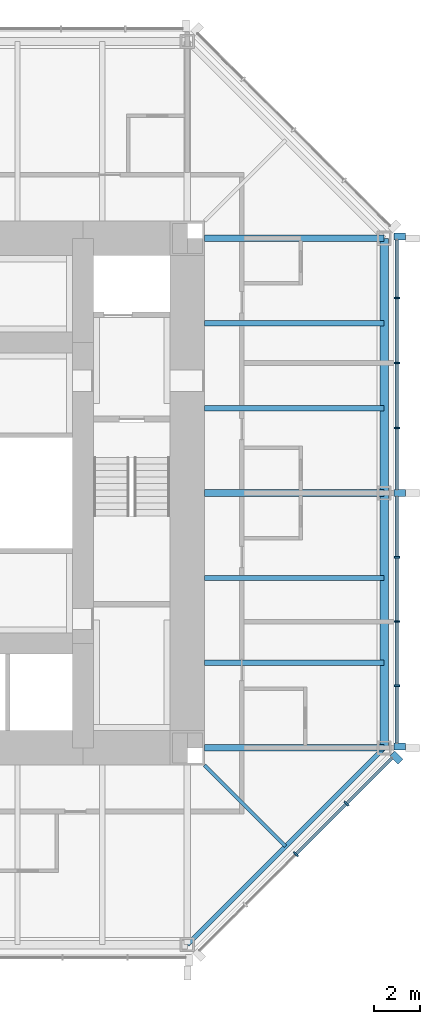
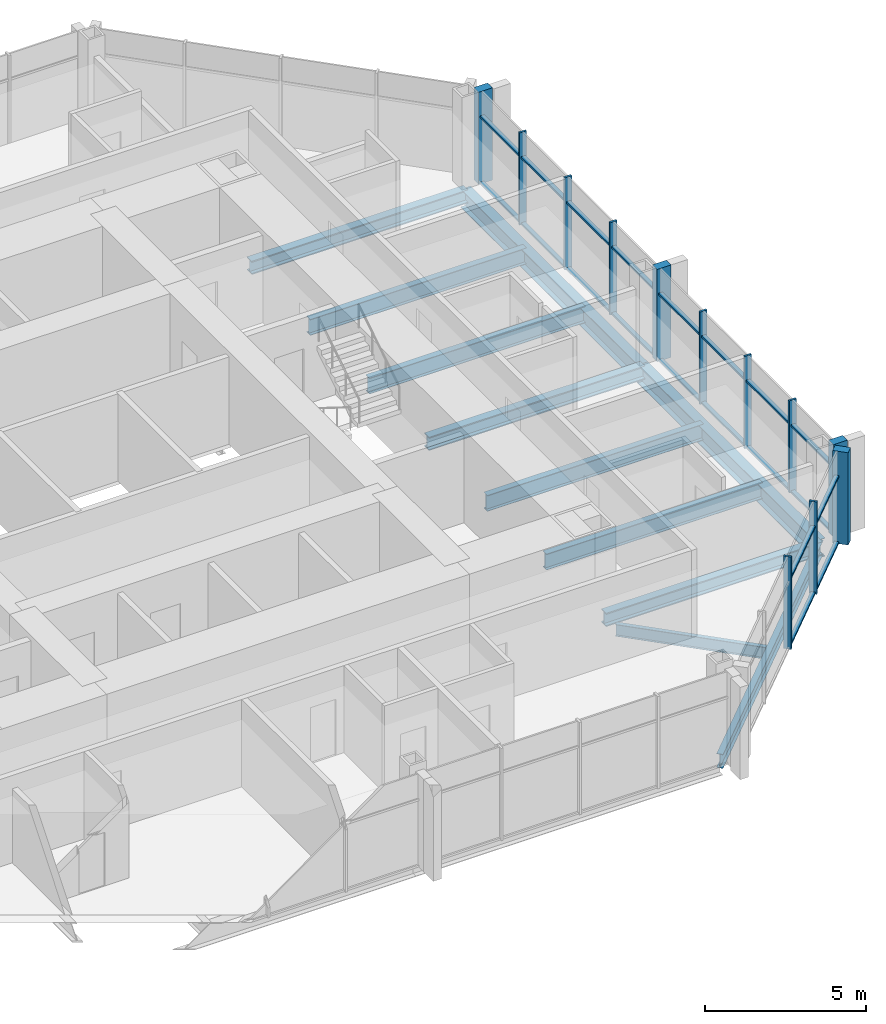
# One storey, part 4 of 11: 32 members, 11 beams, 2 elements without a shape of their own.
"""IFC4 building model written with IfcOpenShell, lengths in metres."""

from ifc_helpers import new_model, si_unit, direction, frame, origin, origin_2d, place, context, subcontext, project, spatial, rectangle, i_section, extrude, material, material_profile, profile_set, type_object, element, aggregate, save


model = new_model("IFC4")

# Units and contexts
model_context = context("Model", 3, precision=1e-05, world=origin(), true_north=direction((0.0, 1.0)))
body_context = subcontext(model_context, "Body", "Model", "MODEL_VIEW")
ifc_project = project(units=[si_unit("LENGTHUNIT", "METRE"), si_unit("AREAUNIT", "SQUARE_METRE"), si_unit("VOLUMEUNIT", "CUBIC_METRE"), si_unit("PLANEANGLEUNIT", "RADIAN"), si_unit("MASSUNIT", "GRAM", prefix="KILO")], contexts=[model_context])

# Site, building, storey
site_placement = place(None, origin())
site = spatial("IfcSite", under=ifc_project, at=site_placement, CompositionType="ELEMENT")
building_placement = place(site_placement, origin())
building = spatial("IfcBuilding", under=site, at=building_placement, Name="Trevanion Tower", CompositionType="ELEMENT")
storey_placement = place(building_placement, frame((0.0, 0.0, 218.699951171875)))
storey = spatial("IfcBuildingStorey", under=building, at=storey_placement, Name="L52", CompositionType="ELEMENT", Elevation=218.699951171875)

# Beams
ifc_material_1 = material(Name="Steel ASTM A992 Grade 50", Category="steel")
ifc_material_profile_1 = material_profile(ifc_material_1, i_section(OverallWidth=0.228271484375, OverallDepth=0.607177734375, WebThickness=0.01123046875, FlangeThickness=0.017333984375, at=origin_2d()), Name="W24X76")
ifc_profile_set_1 = profile_set([ifc_material_profile_1], Name="Steel ASTM A992 Grade 50")
beam_type_1 = type_object("IfcBeamType", Name="B11 W24X76", PredefinedType="BEAM", material=ifc_profile_set_1)
for number, where, z_axis, x_axis, name in (
    (1, (11.75, -7.333251953125, -0.493408203125), (1.0, 0.0, 0.0), (0.0, 1.0, 0.0), "B11 L52"),
    (2, (11.75, -3.666748046875, -0.493408203125), (1.0, 0.0, 0.0), (0.0, 1.0, 0.0), "B11 L52"),
    (3, (11.75, 3.666748046875, -0.493408203125), (1.0, 0.0, 0.0), (0.0, 1.0, 0.0), "B11 L52"),
    (4, (11.75, 7.333251953125, -0.493408203125), (1.0, 0.0, 0.0), (0.0, 1.0, 0.0), "B11 L52"),
):
    element("IfcBeam", number, at=place(storey_placement, frame(where, z_axis=z_axis, x_axis=x_axis)), inside=storey, type_object=beam_type_1, Name=name, PredefinedType="BEAM", context=body_context, shape_type="SweptSolid", body=[
        extrude(i_section(OverallWidth=0.228271484375, OverallDepth=0.607177734375, WebThickness=0.01123046875, FlangeThickness=0.017333984375, at=origin_2d()), origin(), (0.0, 0.0, 1.0), 7.75),
    ])
ifc_material_2 = material(Name="Steel ASTM A992 Grade 50", Category="steel")
ifc_material_profile_2 = material_profile(ifc_material_2, i_section(OverallWidth=0.15234375, OverallDepth=0.449462890625, WebThickness=0.007568359375, FlangeThickness=0.0107421875, at=origin_2d()), Name="W18X35")
ifc_profile_set_2 = profile_set([ifc_material_profile_2], Name="Steel ASTM A992 Grade 50")
beam_type_2 = type_object("IfcBeamType", Name="B12 W18X35", PredefinedType="BEAM", material=ifc_profile_set_2)
beam_1_placement = place(storey_placement, frame((11.75, -11.75, -0.414794921875), z_axis=(0.707106781187, -0.707106781187, 0.0), x_axis=(0.707106781187, 0.707106781187, 0.0)))
element("IfcBeam", 5, at=beam_1_placement, inside=storey, type_object=beam_type_2, Name="B12 L52", PredefinedType="BEAM", context=body_context, shape_type="SweptSolid", body=[
    extrude(i_section(OverallWidth=0.15234375, OverallDepth=0.449462890625, WebThickness=0.007568359375, FlangeThickness=0.0107421875, at=origin_2d()), origin(), (0.0, 0.0, 1.0), 4.94970703125),
])

# Curtain wall, members
ifc_material_3 = material(Name="Aluminium and glass", Category="aluminium")
curtain_wall_type = type_object("IfcCurtainWallType", Name="CW3 curtain wall", PredefinedType="USERDEFINED", material=ifc_material_3)
curtain_wall_1_placement = place(storey_placement, origin())
curtain_wall_1 = element("IfcCurtainWall", 6, at=curtain_wall_1_placement, inside=storey, type_object=curtain_wall_type, Name="CW3 L52 0", ObjectType="UNITISED CURTAIN WALL", PredefinedType="USERDEFINED")
ifc_material_4 = material(Name="Aluminium extrusion, anodised bronze", Category="aluminium")
ifc_material_profile_3 = material_profile(ifc_material_4, rectangle(XDim=0.074951171875, YDim=0.25, at=origin_2d()), Name="CW3 mullion")
ifc_profile_set_3 = profile_set([ifc_material_profile_3], Name="Aluminium extrusion, anodised bronze")
member_type_1 = type_object("IfcMemberType", Name="CW3 mullion", PredefinedType="MULLION", material=ifc_profile_set_3)
member_1_placement = place(storey_placement, frame((20.050048828125, -8.323486328125, -0.18994140625), z_axis=(0.0, 0.0, 1.0), x_axis=(0.0, 1.0, 0.0)))
member_1 = element("IfcMember", 7, at=member_1_placement, type_object=member_type_1, Name="CW3 mullion 2", PredefinedType="MULLION", context=body_context, shape_type="SweptSolid", body=[
    extrude(rectangle(XDim=0.074951171875, YDim=0.25, at=origin_2d()), origin(), (0.0, 0.0, 1.0), 3.5),
])
member_2_placement = place(storey_placement, frame((20.050048828125, -5.548828125, -0.18994140625), z_axis=(0.0, 0.0, 1.0), x_axis=(0.0, 1.0, 0.0)))
member_2 = element("IfcMember", 8, at=member_2_placement, type_object=member_type_1, Name="CW3 mullion 3", PredefinedType="MULLION", context=body_context, shape_type="SweptSolid", body=[
    extrude(rectangle(XDim=0.074951171875, YDim=0.25, at=origin_2d()), origin(), (0.0, 0.0, 1.0), 3.5),
])
member_3_placement = place(storey_placement, frame((20.050048828125, -2.7744140625, -0.18994140625), z_axis=(0.0, 0.0, 1.0), x_axis=(0.0, 1.0, 0.0)))
member_3 = element("IfcMember", 9, at=member_3_placement, type_object=member_type_1, Name="CW3 mullion 4", PredefinedType="MULLION", context=body_context, shape_type="SweptSolid", body=[
    extrude(rectangle(XDim=0.074951171875, YDim=0.25, at=origin_2d()), origin(), (0.0, 0.0, 1.0), 3.5),
])
member_4_placement = place(storey_placement, frame((20.050048828125, 2.806884765625, -0.18994140625), z_axis=(0.0, 0.0, 1.0), x_axis=(0.0, 1.0, 0.0)))
member_4 = element("IfcMember", 10, at=member_4_placement, type_object=member_type_1, Name="CW3 mullion 6", PredefinedType="MULLION", context=body_context, shape_type="SweptSolid", body=[
    extrude(rectangle(XDim=0.074951171875, YDim=0.25, at=origin_2d()), origin(), (0.0, 0.0, 1.0), 3.5),
])
member_5_placement = place(storey_placement, frame((20.050048828125, 5.614013671875, -0.18994140625), z_axis=(0.0, 0.0, 1.0), x_axis=(0.0, 1.0, 0.0)))
member_5 = element("IfcMember", 11, at=member_5_placement, type_object=member_type_1, Name="CW3 mullion 7", PredefinedType="MULLION", context=body_context, shape_type="SweptSolid", body=[
    extrude(rectangle(XDim=0.074951171875, YDim=0.25, at=origin_2d()), origin(), (0.0, 0.0, 1.0), 3.5),
])
member_6_placement = place(storey_placement, frame((20.050048828125, 8.4208984375, -0.18994140625), z_axis=(0.0, 0.0, 1.0), x_axis=(0.0, 1.0, 0.0)))
member_6 = element("IfcMember", 12, at=member_6_placement, type_object=member_type_1, Name="CW3 mullion 8", PredefinedType="MULLION", context=body_context, shape_type="SweptSolid", body=[
    extrude(rectangle(XDim=0.074951171875, YDim=0.25, at=origin_2d()), origin(), (0.0, 0.0, 1.0), 3.5),
])

curtain_wall_2_placement = place(storey_placement, origin())
curtain_wall_2 = element("IfcCurtainWall", 13, at=curtain_wall_2_placement, inside=storey, type_object=curtain_wall_type, Name="CW3 L52 7", ObjectType="UNITISED CURTAIN WALL", PredefinedType="USERDEFINED")
member_7_placement = place(storey_placement, frame((15.684814453125, -15.593017578125, -0.18994140625), z_axis=(0.0, 0.0, 1.0), x_axis=(0.707106781187, 0.707106781187, 0.0)))
member_7 = element("IfcMember", 14, at=member_7_placement, type_object=member_type_1, Name="CW3 mullion 3", PredefinedType="MULLION", context=body_context, shape_type="SweptSolid", body=[
    extrude(rectangle(XDim=0.074951171875, YDim=0.25, at=origin_2d()), origin(), (0.0, 0.0, 1.0), 3.5),
])
member_8_placement = place(storey_placement, frame((17.867431640625, -13.410400390625, -0.18994140625), z_axis=(0.0, 0.0, 1.0), x_axis=(0.707106781187, 0.707106781187, 0.0)))
member_8 = element("IfcMember", 15, at=member_8_placement, type_object=member_type_1, Name="CW3 mullion 4", PredefinedType="MULLION", context=body_context, shape_type="SweptSolid", body=[
    extrude(rectangle(XDim=0.074951171875, YDim=0.25, at=origin_2d()), origin(), (0.0, 0.0, 1.0), 3.5),
])

# Member
ifc_material_5 = material(Name="Aluminium extrusion, anodised bronze", Category="aluminium")
ifc_material_profile_4 = material_profile(ifc_material_5, rectangle(XDim=0.300048828125, YDim=0.5, at=origin_2d()), Name="CW3 pier mullion")
ifc_profile_set_4 = profile_set([ifc_material_profile_4], Name="Aluminium extrusion, anodised bronze")
member_type_2 = type_object("IfcMemberType", Name="CW3 pier mullion", PredefinedType="MULLION", material=ifc_profile_set_4)
member_9_placement = place(storey_placement, frame((20.175048828125, -10.94775390625, -0.18994140625), z_axis=(0.0, 0.0, 1.0), x_axis=(0.0, 1.0, 0.0)))
member_9 = element("IfcMember", 16, at=member_9_placement, type_object=member_type_2, Name="CW3 pier mullion 1", PredefinedType="MULLION", context=body_context, shape_type="SweptSolid", body=[
    extrude(rectangle(XDim=0.300048828125, YDim=0.5, at=origin_2d()), origin(), (0.0, 0.0, 1.0), 3.5),
])

member_10_placement = place(storey_placement, frame((20.175048828125, 0.0, -0.18994140625), z_axis=(0.0, 0.0, 1.0), x_axis=(0.0, 1.0, 0.0)))
member_10 = element("IfcMember", 17, at=member_10_placement, type_object=member_type_2, Name="CW3 pier mullion 5", PredefinedType="MULLION", context=body_context, shape_type="SweptSolid", body=[
    extrude(rectangle(XDim=0.300048828125, YDim=0.5, at=origin_2d()), origin(), (0.0, 0.0, 1.0), 3.5),
])

member_11_placement = place(storey_placement, frame((20.175048828125, 11.077880859375, -0.18994140625), z_axis=(0.0, 0.0, 1.0), x_axis=(0.0, 1.0, 0.0)))
member_11 = element("IfcMember", 18, at=member_11_placement, type_object=member_type_2, Name="CW3 pier mullion 9", PredefinedType="MULLION", context=body_context, shape_type="SweptSolid", body=[
    extrude(rectangle(XDim=0.300048828125, YDim=0.5, at=origin_2d()), origin(), (0.0, 0.0, 1.0), 3.5),
])

member_12_placement = place(storey_placement, frame((20.0322265625, -11.42236328125, -0.18994140625), z_axis=(0.0, 0.0, 1.0), x_axis=(0.707106781187, 0.707106781187, 0.0)))
member_12 = element("IfcMember", 19, at=member_12_placement, type_object=member_type_2, Name="CW3 pier mullion 5", PredefinedType="MULLION", context=body_context, shape_type="SweptSolid", body=[
    extrude(rectangle(XDim=0.300048828125, YDim=0.5, at=origin_2d()), origin(), (0.0, 0.0, 1.0), 3.5),
])

ifc_material_6 = material(Name="Aluminium extrusion, anodised bronze", Category="aluminium")
ifc_material_profile_5 = material_profile(ifc_material_6, rectangle(XDim=0.14990234375, YDim=0.074951171875, at=origin_2d()), Name="CW3 transom")
ifc_profile_set_5 = profile_set([ifc_material_profile_5], Name="Aluminium extrusion, anodised bronze")
member_type_3 = type_object("IfcMemberType", Name="CW3 transom", PredefinedType="USERDEFINED", material=ifc_profile_set_5)
member_13_placement = place(storey_placement, frame((20.050048828125, -10.7978515625, -0.15234375), z_axis=(0.0, 1.0, 0.0), x_axis=(-1.0, 0.0, 0.0)))
member_13 = element("IfcMember", 20, at=member_13_placement, type_object=member_type_3, Name="CW3 transom 1.1", ObjectType="TRANSOM", PredefinedType="USERDEFINED", context=body_context, shape_type="SweptSolid", body=[
    extrude(rectangle(XDim=0.14990234375, YDim=0.074951171875, at=origin_2d()), origin(), (0.0, 0.0, 1.0), 2.43701171875),
])

member_14_placement = place(storey_placement, frame((20.050048828125, -10.7978515625, 2.360107421875), z_axis=(0.0, 1.0, 0.0), x_axis=(-1.0, 0.0, 0.0)))
member_14 = element("IfcMember", 21, at=member_14_placement, type_object=member_type_3, Name="CW3 transom 1.2", ObjectType="TRANSOM", PredefinedType="USERDEFINED", context=body_context, shape_type="SweptSolid", body=[
    extrude(rectangle(XDim=0.14990234375, YDim=0.074951171875, at=origin_2d()), origin(), (0.0, 0.0, 1.0), 2.43701171875),
])

member_15_placement = place(storey_placement, frame((20.050048828125, -8.285888671875, -0.15234375), z_axis=(0.0, 1.0, 0.0), x_axis=(-1.0, 0.0, 0.0)))
member_15 = element("IfcMember", 22, at=member_15_placement, type_object=member_type_3, Name="CW3 transom 2.1", ObjectType="TRANSOM", PredefinedType="USERDEFINED", context=body_context, shape_type="SweptSolid", body=[
    extrude(rectangle(XDim=0.14990234375, YDim=0.074951171875, at=origin_2d()), origin(), (0.0, 0.0, 1.0), 2.699462890625),
])

member_16_placement = place(storey_placement, frame((20.050048828125, -8.285888671875, 2.360107421875), z_axis=(0.0, 1.0, 0.0), x_axis=(-1.0, 0.0, 0.0)))
member_16 = element("IfcMember", 23, at=member_16_placement, type_object=member_type_3, Name="CW3 transom 2.2", ObjectType="TRANSOM", PredefinedType="USERDEFINED", context=body_context, shape_type="SweptSolid", body=[
    extrude(rectangle(XDim=0.14990234375, YDim=0.074951171875, at=origin_2d()), origin(), (0.0, 0.0, 1.0), 2.699462890625),
])

member_17_placement = place(storey_placement, frame((20.050048828125, -5.511474609375, -0.15234375), z_axis=(0.0, 1.0, 0.0), x_axis=(-1.0, 0.0, 0.0)))
member_17 = element("IfcMember", 24, at=member_17_placement, type_object=member_type_3, Name="CW3 transom 3.1", ObjectType="TRANSOM", PredefinedType="USERDEFINED", context=body_context, shape_type="SweptSolid", body=[
    extrude(rectangle(XDim=0.14990234375, YDim=0.074951171875, at=origin_2d()), origin(), (0.0, 0.0, 1.0), 2.699462890625),
])

member_18_placement = place(storey_placement, frame((20.050048828125, -5.511474609375, 2.360107421875), z_axis=(0.0, 1.0, 0.0), x_axis=(-1.0, 0.0, 0.0)))
member_18 = element("IfcMember", 25, at=member_18_placement, type_object=member_type_3, Name="CW3 transom 3.2", ObjectType="TRANSOM", PredefinedType="USERDEFINED", context=body_context, shape_type="SweptSolid", body=[
    extrude(rectangle(XDim=0.14990234375, YDim=0.074951171875, at=origin_2d()), origin(), (0.0, 0.0, 1.0), 2.699462890625),
])

member_19_placement = place(storey_placement, frame((20.050048828125, -2.737060546875, -0.15234375), z_axis=(0.0, 1.0, 0.0), x_axis=(-1.0, 0.0, 0.0)))
member_19 = element("IfcMember", 26, at=member_19_placement, type_object=member_type_3, Name="CW3 transom 4.1", ObjectType="TRANSOM", PredefinedType="USERDEFINED", context=body_context, shape_type="SweptSolid", body=[
    extrude(rectangle(XDim=0.14990234375, YDim=0.074951171875, at=origin_2d()), origin(), (0.0, 0.0, 1.0), 2.587158203125),
])

member_20_placement = place(storey_placement, frame((20.050048828125, -2.737060546875, 2.360107421875), z_axis=(0.0, 1.0, 0.0), x_axis=(-1.0, 0.0, 0.0)))
member_20 = element("IfcMember", 27, at=member_20_placement, type_object=member_type_3, Name="CW3 transom 4.2", ObjectType="TRANSOM", PredefinedType="USERDEFINED", context=body_context, shape_type="SweptSolid", body=[
    extrude(rectangle(XDim=0.14990234375, YDim=0.074951171875, at=origin_2d()), origin(), (0.0, 0.0, 1.0), 2.587158203125),
])

member_21_placement = place(storey_placement, frame((20.050048828125, 0.14990234375, -0.15234375), z_axis=(0.0, 1.0, 0.0), x_axis=(-1.0, 0.0, 0.0)))
member_21 = element("IfcMember", 28, at=member_21_placement, type_object=member_type_3, Name="CW3 transom 5.1", ObjectType="TRANSOM", PredefinedType="USERDEFINED", context=body_context, shape_type="SweptSolid", body=[
    extrude(rectangle(XDim=0.14990234375, YDim=0.074951171875, at=origin_2d()), origin(), (0.0, 0.0, 1.0), 2.619384765625),
])

member_22_placement = place(storey_placement, frame((20.050048828125, 0.14990234375, 2.360107421875), z_axis=(0.0, 1.0, 0.0), x_axis=(-1.0, 0.0, 0.0)))
member_22 = element("IfcMember", 29, at=member_22_placement, type_object=member_type_3, Name="CW3 transom 5.2", ObjectType="TRANSOM", PredefinedType="USERDEFINED", context=body_context, shape_type="SweptSolid", body=[
    extrude(rectangle(XDim=0.14990234375, YDim=0.074951171875, at=origin_2d()), origin(), (0.0, 0.0, 1.0), 2.619384765625),
])

member_23_placement = place(storey_placement, frame((20.050048828125, 2.844482421875, -0.15234375), z_axis=(0.0, 1.0, 0.0), x_axis=(-1.0, 0.0, 0.0)))
member_23 = element("IfcMember", 30, at=member_23_placement, type_object=member_type_3, Name="CW3 transom 6.1", ObjectType="TRANSOM", PredefinedType="USERDEFINED", context=body_context, shape_type="SweptSolid", body=[
    extrude(rectangle(XDim=0.14990234375, YDim=0.074951171875, at=origin_2d()), origin(), (0.0, 0.0, 1.0), 2.73193359375),
])

member_24_placement = place(storey_placement, frame((20.050048828125, 2.844482421875, 2.360107421875), z_axis=(0.0, 1.0, 0.0), x_axis=(-1.0, 0.0, 0.0)))
member_24 = element("IfcMember", 31, at=member_24_placement, type_object=member_type_3, Name="CW3 transom 6.2", ObjectType="TRANSOM", PredefinedType="USERDEFINED", context=body_context, shape_type="SweptSolid", body=[
    extrude(rectangle(XDim=0.14990234375, YDim=0.074951171875, at=origin_2d()), origin(), (0.0, 0.0, 1.0), 2.73193359375),
])

member_25_placement = place(storey_placement, frame((20.050048828125, 5.6513671875, -0.15234375), z_axis=(0.0, 1.0, 0.0), x_axis=(-1.0, 0.0, 0.0)))
member_25 = element("IfcMember", 32, at=member_25_placement, type_object=member_type_3, Name="CW3 transom 7.1", ObjectType="TRANSOM", PredefinedType="USERDEFINED", context=body_context, shape_type="SweptSolid", body=[
    extrude(rectangle(XDim=0.14990234375, YDim=0.074951171875, at=origin_2d()), origin(), (0.0, 0.0, 1.0), 2.73193359375),
])

member_26_placement = place(storey_placement, frame((20.050048828125, 5.6513671875, 2.360107421875), z_axis=(0.0, 1.0, 0.0), x_axis=(-1.0, 0.0, 0.0)))
member_26 = element("IfcMember", 33, at=member_26_placement, type_object=member_type_3, Name="CW3 transom 7.2", ObjectType="TRANSOM", PredefinedType="USERDEFINED", context=body_context, shape_type="SweptSolid", body=[
    extrude(rectangle(XDim=0.14990234375, YDim=0.074951171875, at=origin_2d()), origin(), (0.0, 0.0, 1.0), 2.73193359375),
])

member_27_placement = place(storey_placement, frame((20.050048828125, 8.45849609375, -0.15234375), z_axis=(0.0, 1.0, 0.0), x_axis=(-1.0, 0.0, 0.0)))
member_27 = element("IfcMember", 34, at=member_27_placement, type_object=member_type_3, Name="CW3 transom 8.1", ObjectType="TRANSOM", PredefinedType="USERDEFINED", context=body_context, shape_type="SweptSolid", body=[
    extrude(rectangle(XDim=0.14990234375, YDim=0.074951171875, at=origin_2d()), origin(), (0.0, 0.0, 1.0), 2.46923828125),
])

member_28_placement = place(storey_placement, frame((20.050048828125, 8.45849609375, 2.360107421875), z_axis=(0.0, 1.0, 0.0), x_axis=(-1.0, 0.0, 0.0)))
member_28 = element("IfcMember", 35, at=member_28_placement, type_object=member_type_3, Name="CW3 transom 8.2", ObjectType="TRANSOM", PredefinedType="USERDEFINED", context=body_context, shape_type="SweptSolid", body=[
    extrude(rectangle(XDim=0.14990234375, YDim=0.074951171875, at=origin_2d()), origin(), (0.0, 0.0, 1.0), 2.46923828125),
])

aggregate(curtain_wall_1, [member_9, member_1, member_2, member_3, member_10, member_4, member_5, member_6, member_11, member_13, member_14, member_15, member_16, member_17, member_18, member_19, member_20, member_21, member_22, member_23, member_24, member_25, member_26, member_27, member_28])

member_29_placement = place(storey_placement, frame((15.71142578125, -15.56640625, -0.15234375), z_axis=(0.707106781187, 0.707106781187, 0.0), x_axis=(-0.707106781187, 0.707106781187, 0.0)))
member_29 = element("IfcMember", 36, at=member_29_placement, type_object=member_type_3, Name="CW3 transom 3.1", ObjectType="TRANSOM", PredefinedType="USERDEFINED", context=body_context, shape_type="SweptSolid", body=[
    extrude(rectangle(XDim=0.14990234375, YDim=0.074951171875, at=origin_2d()), origin(), (0.0, 0.0, 1.0), 3.011474609375),
])

member_30_placement = place(storey_placement, frame((15.71142578125, -15.56640625, 2.360107421875), z_axis=(0.707106781187, 0.707106781187, 0.0), x_axis=(-0.707106781187, 0.707106781187, 0.0)))
member_30 = element("IfcMember", 37, at=member_30_placement, type_object=member_type_3, Name="CW3 transom 3.2", ObjectType="TRANSOM", PredefinedType="USERDEFINED", context=body_context, shape_type="SweptSolid", body=[
    extrude(rectangle(XDim=0.14990234375, YDim=0.074951171875, at=origin_2d()), origin(), (0.0, 0.0, 1.0), 3.011474609375),
])

member_31_placement = place(storey_placement, frame((17.89404296875, -13.3837890625, -0.15234375), z_axis=(0.707106781187, 0.707106781187, 0.0), x_axis=(-0.707106781187, 0.707106781187, 0.0)))
member_31 = element("IfcMember", 38, at=member_31_placement, type_object=member_type_3, Name="CW3 transom 4.1", ObjectType="TRANSOM", PredefinedType="USERDEFINED", context=body_context, shape_type="SweptSolid", body=[
    extrude(rectangle(XDim=0.14990234375, YDim=0.074951171875, at=origin_2d()), origin(), (0.0, 0.0, 1.0), 2.7490234375),
])

member_32_placement = place(storey_placement, frame((17.89404296875, -13.3837890625, 2.360107421875), z_axis=(0.707106781187, 0.707106781187, 0.0), x_axis=(-0.707106781187, 0.707106781187, 0.0)))
member_32 = element("IfcMember", 39, at=member_32_placement, type_object=member_type_3, Name="CW3 transom 4.2", ObjectType="TRANSOM", PredefinedType="USERDEFINED", context=body_context, shape_type="SweptSolid", body=[
    extrude(rectangle(XDim=0.14990234375, YDim=0.074951171875, at=origin_2d()), origin(), (0.0, 0.0, 1.0), 2.7490234375),
])

aggregate(curtain_wall_2, [member_7, member_8, member_12, member_29, member_30, member_31, member_32])

# Beams
ifc_material_7 = material(Name="Steel ASTM A992 Grade 50", Category="steel")
ifc_material_profile_6 = material_profile(ifc_material_7, i_section(OverallWidth=0.28955078125, OverallDepth=0.508056640625, WebThickness=0.022705078125, FlangeThickness=0.040283203125, at=origin_2d()), Name="W18X175")
ifc_profile_set_6 = profile_set([ifc_material_profile_6], Name="Steel ASTM A992 Grade 50")
beam_type_3 = type_object("IfcBeamType", Name="G6 W18X175", PredefinedType="BEAM", material=ifc_profile_set_6)
for number, where, z_axis, x_axis, name in (
    (40, (11.75, -11.0, -0.44384765625), (1.0, 0.0, 0.0), (0.0, 1.0, 0.0), "G6 L52"),
    (41, (11.75, 0.0, -0.44384765625), (1.0, 0.0, 0.0), (0.0, 1.0, 0.0), "G6 L52"),
    (42, (11.75, 11.0, -0.44384765625), (1.0, 0.0, 0.0), (0.0, 1.0, 0.0), "G6 L52"),
):
    element("IfcBeam", number, at=place(storey_placement, frame(where, z_axis=z_axis, x_axis=x_axis)), inside=storey, type_object=beam_type_3, Name=name, PredefinedType="BEAM", context=body_context, shape_type="SweptSolid", body=[
        extrude(i_section(OverallWidth=0.28955078125, OverallDepth=0.508056640625, WebThickness=0.022705078125, FlangeThickness=0.040283203125, at=origin_2d()), origin(), (0.0, 0.0, 1.0), 7.75),
    ])
ifc_material_8 = material(Name="Steel ASTM A992 Grade 50", Category="steel")
ifc_material_profile_7 = material_profile(ifc_material_8, i_section(OverallWidth=0.355712890625, OverallDepth=0.696044921875, WebThickness=0.015380859375, FlangeThickness=0.024658203125, at=origin_2d()), Name="W27X146")
ifc_profile_set_7 = profile_set([ifc_material_profile_7], Name="Steel ASTM A992 Grade 50")
beam_type_4 = type_object("IfcBeamType", Name="SB8 W27X146", PredefinedType="SPANDREL", material=ifc_profile_set_7)
for number, where, z_axis, x_axis, name in (
    (43, (19.5, -11.0, -0.537841796875), (0.0, 1.0, 0.0), (-1.0, 0.0, 0.0), "SB8 L52"),
    (44, (19.5, 0.0, -0.537841796875), (0.0, 1.0, 0.0), (-1.0, 0.0, 0.0), "SB8 L52"),
):
    element("IfcBeam", number, at=place(storey_placement, frame(where, z_axis=z_axis, x_axis=x_axis)), inside=storey, type_object=beam_type_4, Name=name, PredefinedType="SPANDREL", context=body_context, shape_type="SweptSolid", body=[
        extrude(i_section(OverallWidth=0.355712890625, OverallDepth=0.696044921875, WebThickness=0.015380859375, FlangeThickness=0.024658203125, at=origin_2d()), origin(), (0.0, 0.0, 1.0), 11.0),
    ])
ifc_material_9 = material(Name="Steel ASTM A992 Grade 50", Category="steel")
ifc_material_profile_8 = material_profile(ifc_material_9, i_section(OverallWidth=0.209228515625, OverallDepth=0.533447265625, WebThickness=0.01025390625, FlangeThickness=0.015625, at=origin_2d()), Name="W21X62")
ifc_profile_set_8 = profile_set([ifc_material_profile_8], Name="Steel ASTM A992 Grade 50")
beam_type_5 = type_object("IfcBeamType", Name="SB9 W21X62", PredefinedType="SPANDREL", material=ifc_profile_set_8)
beam_2_placement = place(storey_placement, frame((11.0, -19.5, -0.45654296875), z_axis=(0.707106781187, 0.707106781187, 0.0), x_axis=(-0.707106781187, 0.707106781187, 0.0)))
element("IfcBeam", 45, at=beam_2_placement, inside=storey, type_object=beam_type_5, Name="SB9 L52", PredefinedType="SPANDREL", context=body_context, shape_type="SweptSolid", body=[
    extrude(i_section(OverallWidth=0.209228515625, OverallDepth=0.533447265625, WebThickness=0.01025390625, FlangeThickness=0.015625, at=origin_2d()), origin(), (0.0, 0.0, 1.0), 12.020751953125),
])

save(model, "model.ifc")
